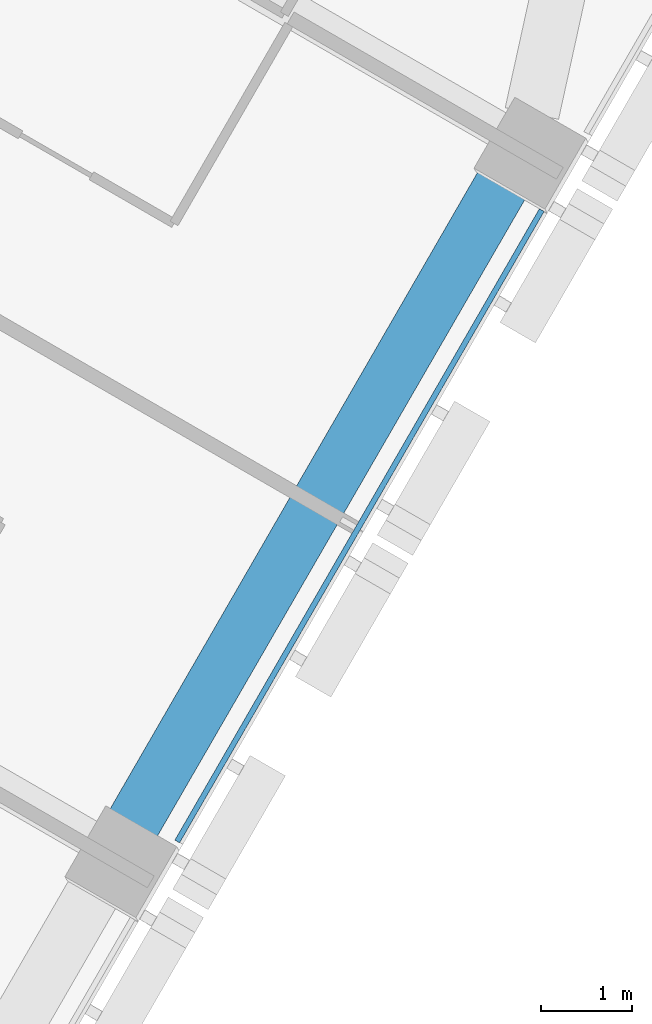
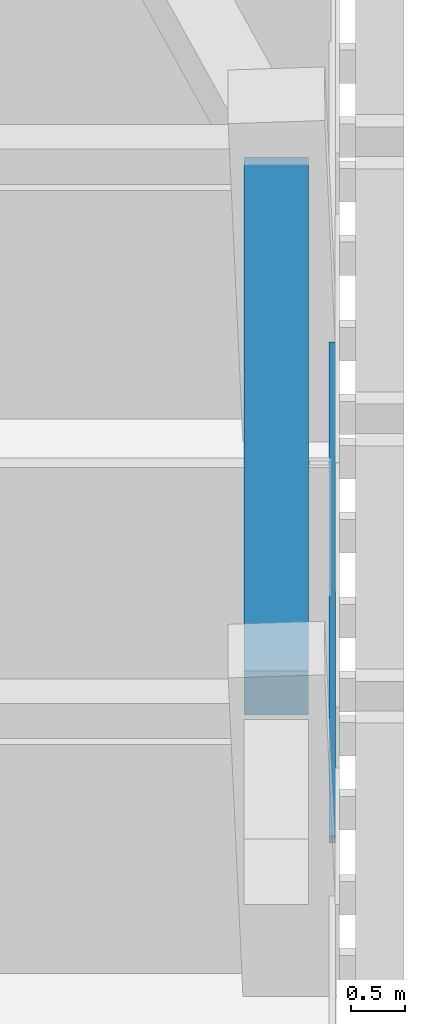
# One storey, part 5 of 18: 1 beam, 1 member, 1 element without a shape of its own.
"""IFC4 building model written with IfcOpenShell, lengths in metres."""

from ifc_helpers import new_model, si_unit, direction, frame, origin, origin_2d, place, context, subcontext, project, spatial, rectangle, extrude, material, layer, layer_set, material_profile, profile_set, type_object, element, aggregate, save


model = new_model("IFC4")

# Units and contexts
model_context = context("Model", 3, precision=1e-05, world=origin(), true_north=direction((0.0, 1.0)))
body_context = subcontext(model_context, "Body", "Model", "MODEL_VIEW")
ifc_project = project(units=[si_unit("LENGTHUNIT", "METRE"), si_unit("AREAUNIT", "SQUARE_METRE"), si_unit("VOLUMEUNIT", "CUBIC_METRE"), si_unit("PLANEANGLEUNIT", "RADIAN"), si_unit("MASSUNIT", "GRAM", prefix="KILO")], contexts=[model_context])

# Site, building, storey
site_placement = place(None, origin())
site = spatial("IfcSite", under=ifc_project, at=site_placement, CompositionType="ELEMENT")
building_placement = place(site_placement, origin())
building = spatial("IfcBuilding", under=site, at=building_placement, Name="Altiplano Prism Tower", CompositionType="ELEMENT")
storey_placement = place(building_placement, frame((0.0, 0.0, 34.199951171875)))
storey = spatial("IfcBuildingStorey", under=building, at=storey_placement, Name="L07", CompositionType="ELEMENT", Elevation=34.199951171875)

# Curtain wall, member
ifc_material_1 = material(Name="Aluminium and glass", Category="aluminium")
ifc_layer = layer(ifc_material_1, 0.280029296875)
ifc_layer_set = layer_set([ifc_layer], Name="Aluminium and glass")
curtain_wall_type = type_object("IfcCurtainWallType", Name="CW1 typical co-living unitised curtain wall", PredefinedType="NOTDEFINED", material=ifc_layer_set)
curtain_wall_placement = place(storey_placement, origin())
curtain_wall = element("IfcCurtainWall", 1, at=curtain_wall_placement, inside=storey, type_object=curtain_wall_type, Name="CW1 curtain wall south-east face L07", PredefinedType="NOTDEFINED")
ifc_material_2 = material(Name="Aluminium", Category="aluminium")
ifc_material_profile_1 = material_profile(ifc_material_2, rectangle(XDim=0.06005859375, YDim=0.080078125, at=origin_2d()), Name="CW1 transom 80 x 60")
ifc_profile_set_1 = profile_set([ifc_material_profile_1], Name="Aluminium")
member_type = type_object("IfcMemberType", Name="CW1 transom 80 x 60", PredefinedType="USERDEFINED", material=ifc_profile_set_1)
member_placement = place(storey_placement, frame((105.480712890625, 78.167724609375, 1.10009765625), z_axis=(0.499989486807, 0.866031473494, 0.0), x_axis=(-0.866031473494, 0.499989486807, 0.0)))
member = element("IfcMember", 2, at=member_placement, type_object=member_type, Name="CW1 transom", ObjectType="TRANSOM", PredefinedType="USERDEFINED", context=body_context, shape_type="SweptSolid", body=[
    extrude(rectangle(XDim=0.06005859375, YDim=0.080078125, at=origin_2d()), origin(), (0.0, 0.0, 1.0), 8.019775390625),
])
aggregate(curtain_wall, [member])

# Beam
ifc_material_3 = material(Name="Concrete C60/75", Category="concrete")
ifc_material_profile_2 = material_profile(ifc_material_3, rectangle(XDim=0.60009765625, YDim=0.5, at=origin_2d()), Name="Edge beam 600x500")
ifc_profile_set_2 = profile_set([ifc_material_profile_2], Name="Concrete C60/75")
beam_type = type_object("IfcBeamType", Name="Edge beam 600x500", PredefinedType="SPANDREL", material=ifc_profile_set_2)
beam_placement = place(storey_placement, frame((104.971923828125, 78.323486328125, 2.85009765625), z_axis=(0.499992746786, 0.866029591389, 0.0), x_axis=(-0.866029591389, 0.499992746786, 0.0)))
element("IfcBeam", 3, at=beam_placement, inside=storey, type_object=beam_type, Name="Edge beam P23-P24 L08", PredefinedType="SPANDREL", context=body_context, shape_type="SweptSolid", body=[
    extrude(rectangle(XDim=0.60009765625, YDim=0.5, at=origin_2d()), origin(), (0.0, 0.0, 1.0), 8.33984375),
])

save(model, "model.ifc")
